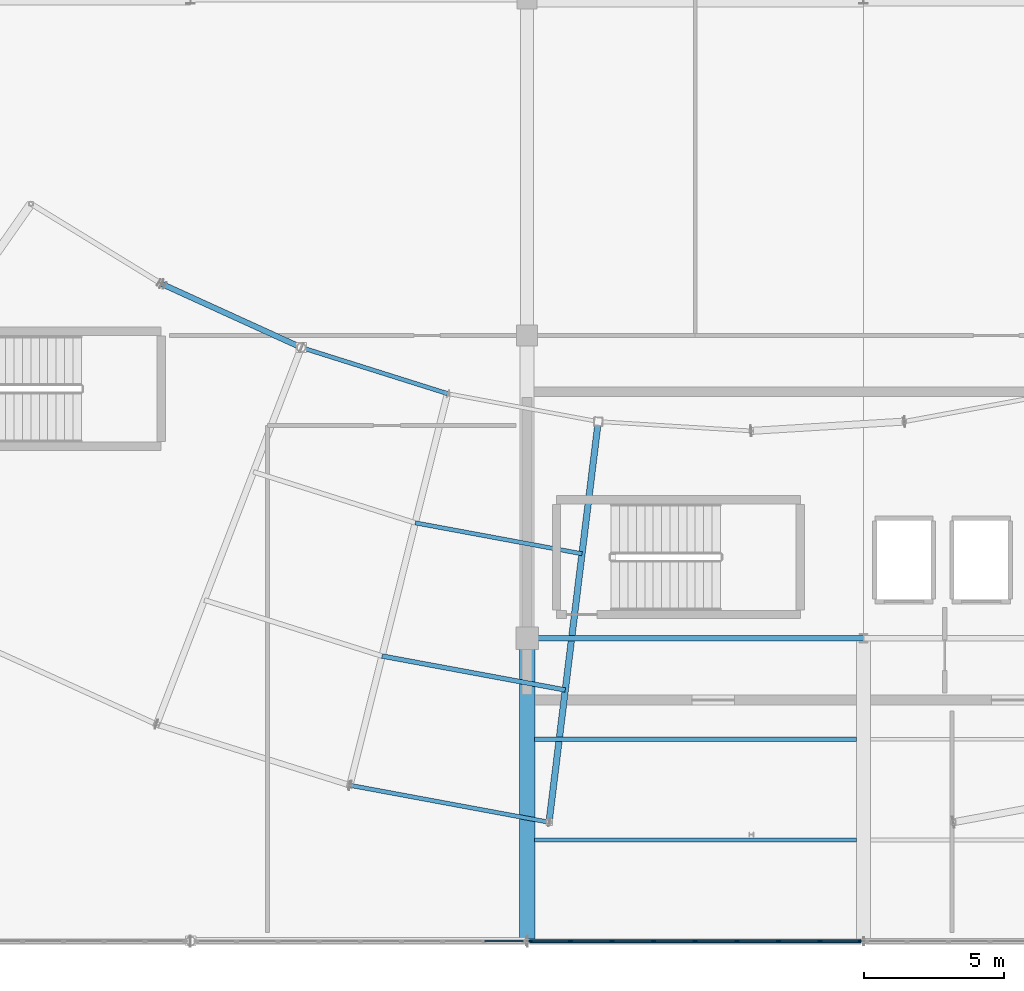
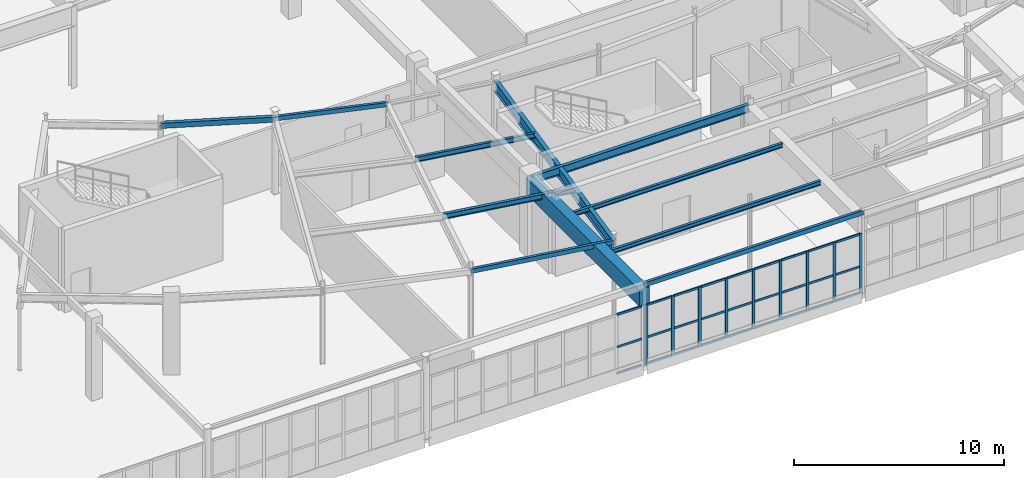
# One storey, part 60 of 186: 36 members, 11 beams, 2 elements without a shape of their own.
"""IFC4 building model written with IfcOpenShell, lengths in metres."""

from ifc_helpers import new_model, si_unit, direction, frame, origin, origin_2d, place, context, subcontext, project, spatial, rectangle, hollow_rectangle, i_section, extrude, material, layer, layer_set, material_profile, profile_set, type_object, element, aggregate, save


model = new_model("IFC4")

# Units and contexts
model_context = context("Model", 3, precision=1e-05, world=origin(), true_north=direction((0.0, 1.0)))
body_context = subcontext(model_context, "Body", "Model", "MODEL_VIEW")
ifc_project = project(units=[si_unit("LENGTHUNIT", "METRE"), si_unit("AREAUNIT", "SQUARE_METRE"), si_unit("VOLUMEUNIT", "CUBIC_METRE"), si_unit("PLANEANGLEUNIT", "RADIAN"), si_unit("MASSUNIT", "GRAM", prefix="KILO")], contexts=[model_context])

# Site, building, storey
site_placement = place(None, origin())
site = spatial("IfcSite", under=ifc_project, at=site_placement, CompositionType="ELEMENT")
building_placement = place(site_placement, origin())
building = spatial("IfcBuilding", under=site, at=building_placement, Name="Tarnwether General Hospital", CompositionType="ELEMENT")
storey_placement = place(building_placement, frame((0.0, 0.0, 9.60009765625)))
storey = spatial("IfcBuildingStorey", under=building, at=storey_placement, Name="L02", CompositionType="ELEMENT", Elevation=9.60009765625)

# Beams
ifc_material_1 = material(Name="Steel Grade 350 (350 MPa)", Category="steel")
ifc_material_profile_1 = material_profile(ifc_material_1, i_section(OverallWidth=0.22802734375, OverallDepth=0.60205078125, WebThickness=0.010498046875, FlangeThickness=0.014892578125, at=origin_2d()), Name="610UB101")
ifc_profile_set_1 = profile_set([ifc_material_profile_1], Name="Steel Grade 350 (350 MPa)")
beam_type_1 = type_object("IfcBeamType", Name="BM-G05", PredefinedType="BEAM", material=ifc_profile_set_1)
beam_1_placement = place(storey_placement, frame((84.784912109375, 4.240966796875, 4.12890625), z_axis=(0.121881045946, 0.99254471468, 0.0), x_axis=(-0.99254471468, 0.121881045946, 0.0)))
element("IfcBeam", 1, at=beam_1_placement, inside=storey, type_object=beam_type_1, Name="Curved Ward SE Radial Girder BMG-L02-8478_424-8654_1853-2070", PredefinedType="BEAM", context=body_context, shape_type="SweptSolid", body=[
    extrude(i_section(OverallWidth=0.22802734375, OverallDepth=0.60205078125, WebThickness=0.010498046875, FlangeThickness=0.014892578125, at=origin_2d()), origin(), (0.0, 0.0, 1.0), 14.400390625),
])
ifc_material_2 = material(Name="Steel Grade 350 (350 MPa)", Category="steel")
ifc_material_profile_2 = material_profile(ifc_material_2, i_section(OverallWidth=0.18994140625, OverallDepth=0.45703125, WebThickness=0.009033203125, FlangeThickness=0.014404296875, at=origin_2d()), Name="460UB74.6")
ifc_profile_set_2 = profile_set([ifc_material_profile_2], Name="Steel Grade 350 (350 MPa)")
beam_type_2 = type_object("IfcBeamType", Name="BM-G09", PredefinedType="BEAM", material=ifc_profile_set_2)
beam_2_placement = place(storey_placement, frame((84.0, 10.800048828125, 4.201416015625), z_axis=(1.0, 0.0, 0.0), x_axis=(0.0, 1.0, 0.0)))
element("IfcBeam", 2, at=beam_2_placement, inside=storey, type_object=beam_type_2, Name="Primary Girder BMG-L02-8400_1080-9600_1080-1507", PredefinedType="BEAM", context=body_context, shape_type="SweptSolid", body=[
    extrude(i_section(OverallWidth=0.18994140625, OverallDepth=0.45703125, WebThickness=0.009033203125, FlangeThickness=0.014404296875, at=origin_2d()), origin(), (0.0, 0.0, 1.0), 12.0),
])
ifc_material_3 = material(Name="Concrete 40 MPa", Category="concrete")
ifc_material_profile_3 = material_profile(ifc_material_3, rectangle(XDim=0.550048828125, YDim=0.949951171875, at=origin_2d()), Name="RC-BM-550x950")
ifc_profile_set_3 = profile_set([ifc_material_profile_3], Name="Concrete 40 MPa")
beam_type_3 = type_object("IfcBeamType", Name="BM-G11", PredefinedType="BEAM", material=ifc_profile_set_3)
beam_3_placement = place(storey_placement, frame((84.0, 0.0, 3.954833984375), z_axis=(0.0, 1.0, 0.0), x_axis=(-1.0, 0.0, 0.0)))
element("IfcBeam", 3, at=beam_3_placement, inside=storey, type_object=beam_type_3, Name="Primary Girder BMG-L02-8400_0-8400_1080-1506", PredefinedType="BEAM", context=body_context, shape_type="SweptSolid", body=[
    extrude(rectangle(XDim=0.550048828125, YDim=0.949951171875, at=origin_2d()), origin(), (0.0, 0.0, 1.0), 10.800048828125),
])
ifc_material_4 = material(Name="Steel Grade 350 (350 MPa)", Category="steel")
ifc_material_profile_4 = material_profile(ifc_material_4, i_section(OverallWidth=0.166015625, OverallDepth=0.306884765625, WebThickness=0.006591796875, FlangeThickness=0.01171875, at=origin_2d()), Name="310UB46.2")
ifc_profile_set_4 = profile_set([ifc_material_profile_4], Name="Steel Grade 350 (350 MPa)")
beam_type_4 = type_object("IfcBeamType", Name="BM-J05", PredefinedType="JOIST", material=ifc_profile_set_4)
beam_4_placement = place(storey_placement, frame((78.827880859375, 10.1689453125, 4.2763671875), z_axis=(0.983267388773, -0.18216817004, 0.0), x_axis=(0.18216817004, 0.983267388773, 0.0)))
element("IfcBeam", 4, at=beam_4_placement, inside=storey, type_object=beam_type_4, Name="Curved Ward SE Chord Joist BMG-L02-7883_1017-8536_896-2084", PredefinedType="JOIST", context=body_context, shape_type="SweptSolid", body=[
    extrude(i_section(OverallWidth=0.166015625, OverallDepth=0.306884765625, WebThickness=0.006591796875, FlangeThickness=0.01171875, at=origin_2d()), origin(), (0.0, 0.0, 1.0), 6.6474609375),
])
ifc_material_5 = material(Name="Steel Grade 350 (350 MPa)", Category="steel")
ifc_material_profile_5 = material_profile(ifc_material_5, i_section(OverallWidth=0.14892578125, OverallDepth=0.298095703125, WebThickness=0.005615234375, FlangeThickness=0.008056640625, at=origin_2d()), Name="310UB32.0")
ifc_profile_set_5 = profile_set([ifc_material_profile_5], Name="Steel Grade 350 (350 MPa)")
beam_type_5 = type_object("IfcBeamType", Name="BM-J08", PredefinedType="JOIST", material=ifc_profile_set_5)
beam_5_placement = place(storey_placement, frame((80.011962890625, 14.919921875, 4.281005859375), z_axis=(0.983241575901, -0.182307442029, 0.0), x_axis=(0.182307442029, 0.983241575901, 0.0)))
element("IfcBeam", 5, at=beam_5_placement, inside=storey, type_object=beam_type_5, Name="Curved Ward SE Chord Joist BMG-L02-8001_1492-8596_1382-2085", PredefinedType="JOIST", context=body_context, shape_type="SweptSolid", body=[
    extrude(i_section(OverallWidth=0.14892578125, OverallDepth=0.298095703125, WebThickness=0.005615234375, FlangeThickness=0.008056640625, at=origin_2d()), origin(), (0.0, 0.0, 1.0), 6.05029296875),
])
ifc_material_6 = material(Name="Steel Grade 350 (350 MPa)", Category="steel")
ifc_material_profile_6 = material_profile(ifc_material_6, i_section(OverallWidth=0.14599609375, OverallDepth=0.256103515625, WebThickness=0.00634765625, FlangeThickness=0.010986328125, at=origin_2d()), Name="250UB37.3")
ifc_profile_set_6 = profile_set([ifc_material_profile_6], Name="Steel Grade 350 (350 MPa)")
beam_type_6 = type_object("IfcBeamType", Name="BM-J09", PredefinedType="JOIST", material=ifc_profile_set_6)
beam_6_placement = place(storey_placement, frame((84.26904296875, 3.60009765625, 4.302001953125), z_axis=(1.0, 0.0, 0.0), x_axis=(0.0, 1.0, 0.0)))
element("IfcBeam", 6, at=beam_6_placement, inside=storey, type_object=beam_type_6, Name="Composite Floor Joist BMG-L02-8427_360-9576_360-1686", PredefinedType="JOIST", context=body_context, shape_type="SweptSolid", body=[
    extrude(i_section(OverallWidth=0.14599609375, OverallDepth=0.256103515625, WebThickness=0.00634765625, FlangeThickness=0.010986328125, at=origin_2d()), origin(), (0.0, 0.0, 1.0), 11.487060546875),
])
ifc_material_7 = material(Name="Steel Grade 350 (350 MPa)", Category="steel")
ifc_material_profile_7 = material_profile(ifc_material_7, i_section(OverallWidth=0.14599609375, OverallDepth=0.251953125, WebThickness=0.006103515625, FlangeThickness=0.008544921875, at=origin_2d()), Name="250UB31.4")
ifc_profile_set_7 = profile_set([ifc_material_profile_7], Name="Steel Grade 350 (350 MPa)")
beam_type_7 = type_object("IfcBeamType", Name="BM-J10", PredefinedType="JOIST", material=ifc_profile_set_7)
beam_7_placement = place(storey_placement, frame((84.26904296875, 7.199951171875, 4.303955078125), z_axis=(1.0, 0.0, 0.0), x_axis=(0.0, 1.0, 0.0)))
element("IfcBeam", 7, at=beam_7_placement, inside=storey, type_object=beam_type_7, Name="Composite Floor Joist BMG-L02-8427_720-9576_720-1687", PredefinedType="JOIST", context=body_context, shape_type="SweptSolid", body=[
    extrude(i_section(OverallWidth=0.14599609375, OverallDepth=0.251953125, WebThickness=0.006103515625, FlangeThickness=0.008544921875, at=origin_2d()), origin(), (0.0, 0.0, 1.0), 11.487060546875),
])
ifc_material_8 = material(Name="Steel Grade C350L0 (350 MPa)", Category="steel")
ifc_material_profile_8 = material_profile(ifc_material_8, hollow_rectangle(XDim=0.199951171875, YDim=0.300048828125, WallThickness=0.012451171875, at=origin_2d()), Name="RHS300x200x12.5")
ifc_profile_set_8 = profile_set([ifc_material_profile_8], Name="Steel Grade C350L0 (350 MPa)")
beam_type_8 = type_object("IfcBeamType", Name="BM-SP3", PredefinedType="SPANDREL", material=ifc_profile_set_8)
beam_8_placement = place(storey_placement, frame((70.968017578125, 23.444091796875, 4.27978515625), z_axis=(0.909968605358, -0.414677148228, 0.0), x_axis=(0.414677148228, 0.909968605358, 0.0)))
element("IfcBeam", 8, at=beam_8_placement, inside=storey, type_object=beam_type_8, Name="Curved Ward SE Inner Spandrel BMG-L02-7097_2344-7594_2118-2077", PredefinedType="SPANDREL", context=body_context, shape_type="SweptSolid", body=[
    extrude(hollow_rectangle(XDim=0.199951171875, YDim=0.300048828125, WallThickness=0.012451171875, at=origin_2d()), origin(), (0.0, 0.0, 1.0), 5.469482421875),
])
ifc_material_9 = material(Name="Steel Grade C350L0 (350 MPa)", Category="steel")
ifc_material_profile_9 = material_profile(ifc_material_9, hollow_rectangle(XDim=0.14990234375, YDim=0.25, WallThickness=0.010009765625, at=origin_2d()), Name="RHS250x150x10")
ifc_profile_set_9 = profile_set([ifc_material_profile_9], Name="Steel Grade C350L0 (350 MPa)")
beam_type_9 = type_object("IfcBeamType", Name="BM-SP4", PredefinedType="SPANDREL", material=ifc_profile_set_9)
beam_9_placement = place(storey_placement, frame((75.945068359375, 21.176025390625, 4.304931640625), z_axis=(0.953712084488, -0.300721232874, 0.0), x_axis=(0.300721232874, 0.953712084488, 0.0)))
element("IfcBeam", 9, at=beam_9_placement, inside=storey, type_object=beam_type_9, Name="Curved Ward SE Inner Spandrel BMG-L02-7594_2118-8116_1953-2079", PredefinedType="SPANDREL", context=body_context, shape_type="SweptSolid", body=[
    extrude(hollow_rectangle(XDim=0.14990234375, YDim=0.25, WallThickness=0.010009765625, at=origin_2d()), origin(), (0.0, 0.0, 1.0), 5.47021484375),
])
beam_10_placement = place(storey_placement, frame((77.677978515625, 5.55810546875, 4.304931640625), z_axis=(0.98325623662, -0.182228354399, 0.0), x_axis=(0.182228354399, 0.98325623662, 0.0)))
element("IfcBeam", 10, at=beam_10_placement, inside=storey, type_object=beam_type_9, Name="Curved Ward SE Outer Spandrel BMG-L02-7768_556-8478_424-2082", PredefinedType="SPANDREL", context=body_context, shape_type="SweptSolid", body=[
    extrude(hollow_rectangle(XDim=0.14990234375, YDim=0.25, WallThickness=0.010009765625, at=origin_2d()), origin(), (0.0, 0.0, 1.0), 7.22802734375),
])
ifc_material_10 = material(Name="Steel Grade C350L0 (350 MPa)", Category="steel")
ifc_material_profile_10 = material_profile(ifc_material_10, hollow_rectangle(XDim=0.14990234375, YDim=0.25, WallThickness=0.008056640625, at=origin_2d()), Name="RHS250x150x8")
ifc_profile_set_10 = profile_set([ifc_material_profile_10], Name="Steel Grade C350L0 (350 MPa)")
beam_type_10 = type_object("IfcBeamType", Name="BM-SP8", PredefinedType="SPANDREL", material=ifc_profile_set_10)
beam_11_placement = place(storey_placement, frame((84.0, 0.0, 4.6748046875), z_axis=(1.0, 0.0, 0.0), x_axis=(0.0, 1.0, 0.0)))
element("IfcBeam", 11, at=beam_11_placement, inside=storey, type_object=beam_type_10, Name="Primary Girder BMG-L02-8400_0-9600_0-1505", PredefinedType="SPANDREL", context=body_context, shape_type="SweptSolid", body=[
    extrude(hollow_rectangle(XDim=0.14990234375, YDim=0.25, WallThickness=0.008056640625, at=origin_2d()), origin(), (0.0, 0.0, 1.0), 12.0),
])

# Curtain wall, members
ifc_material_11 = material(Name="Anodised aluminium", Category="aluminium")
ifc_layer = layer(ifc_material_11, 0.159912109375)
ifc_layer_set = layer_set([ifc_layer], Name="Anodised aluminium")
curtain_wall_type = type_object("IfcCurtainWallType", Name="CW-13", PredefinedType="NOTDEFINED", material=ifc_layer_set)
curtain_wall_1_placement = place(storey_placement, origin())
curtain_wall_1 = element("IfcCurtainWall", 12, at=curtain_wall_1_placement, inside=storey, type_object=curtain_wall_type, Name="Curtain Wall CWG-L02-959_0-0412", PredefinedType="NOTDEFINED")
ifc_material_12 = material(Name="Anodised aluminium", Category="aluminium")
ifc_material_profile_11 = material_profile(ifc_material_12, rectangle(XDim=0.06005859375, YDim=0.159912109375, at=origin_2d()), Name="ALU-MUL-60x160")
ifc_profile_set_11 = profile_set([ifc_material_profile_11], Name="Anodised aluminium")
member_type_1 = type_object("IfcMemberType", Name="CW-ML1", PredefinedType="MULLION", material=ifc_profile_set_11)
member_1_placement = place(storey_placement, frame((95.89892578125, 0.0, 0.0), z_axis=(0.0, 0.0, 1.0), x_axis=(0.0, -1.0, 0.0)))
member_1 = element("IfcMember", 13, at=member_1_placement, type_object=member_type_1, Name="CW-13 mullion 1", PredefinedType="MULLION", context=body_context, shape_type="SweptSolid", body=[
    extrude(rectangle(XDim=0.06005859375, YDim=0.159912109375, at=origin_2d()), origin(), (0.0, 0.0, 1.0), 3.46484375),
])
member_2_placement = place(storey_placement, frame((94.44677734375, 0.0, 0.0), z_axis=(0.0, 0.0, 1.0), x_axis=(0.0, -1.0, 0.0)))
member_2 = element("IfcMember", 14, at=member_2_placement, type_object=member_type_1, Name="CW-13 mullion 2", PredefinedType="MULLION", context=body_context, shape_type="SweptSolid", body=[
    extrude(rectangle(XDim=0.06005859375, YDim=0.159912109375, at=origin_2d()), origin(), (0.0, 0.0, 1.0), 3.46484375),
])
member_3_placement = place(storey_placement, frame((92.964599609375, 0.0, 0.0), z_axis=(0.0, 0.0, 1.0), x_axis=(0.0, -1.0, 0.0)))
member_3 = element("IfcMember", 15, at=member_3_placement, type_object=member_type_1, Name="CW-13 mullion 3", PredefinedType="MULLION", context=body_context, shape_type="SweptSolid", body=[
    extrude(rectangle(XDim=0.06005859375, YDim=0.159912109375, at=origin_2d()), origin(), (0.0, 0.0, 1.0), 3.46484375),
])
member_4_placement = place(storey_placement, frame((91.482177734375, 0.0, 0.0), z_axis=(0.0, 0.0, 1.0), x_axis=(0.0, -1.0, 0.0)))
member_4 = element("IfcMember", 16, at=member_4_placement, type_object=member_type_1, Name="CW-13 mullion 4", PredefinedType="MULLION", context=body_context, shape_type="SweptSolid", body=[
    extrude(rectangle(XDim=0.06005859375, YDim=0.159912109375, at=origin_2d()), origin(), (0.0, 0.0, 1.0), 3.46484375),
])
member_5_placement = place(storey_placement, frame((90.0, 0.0, 0.0), z_axis=(0.0, 0.0, 1.0), x_axis=(0.0, -1.0, 0.0)))
member_5 = element("IfcMember", 17, at=member_5_placement, type_object=member_type_1, Name="CW-13 mullion 5", PredefinedType="MULLION", context=body_context, shape_type="SweptSolid", body=[
    extrude(rectangle(XDim=0.06005859375, YDim=0.159912109375, at=origin_2d()), origin(), (0.0, 0.0, 1.0), 3.46484375),
])
member_6_placement = place(storey_placement, frame((88.517822265625, 0.0, 0.0), z_axis=(0.0, 0.0, 1.0), x_axis=(0.0, -1.0, 0.0)))
member_6 = element("IfcMember", 18, at=member_6_placement, type_object=member_type_1, Name="CW-13 mullion 6", PredefinedType="MULLION", context=body_context, shape_type="SweptSolid", body=[
    extrude(rectangle(XDim=0.06005859375, YDim=0.159912109375, at=origin_2d()), origin(), (0.0, 0.0, 1.0), 3.46484375),
])
member_7_placement = place(storey_placement, frame((87.035400390625, 0.0, 0.0), z_axis=(0.0, 0.0, 1.0), x_axis=(0.0, -1.0, 0.0)))
member_7 = element("IfcMember", 19, at=member_7_placement, type_object=member_type_1, Name="CW-13 mullion 7", PredefinedType="MULLION", context=body_context, shape_type="SweptSolid", body=[
    extrude(rectangle(XDim=0.06005859375, YDim=0.159912109375, at=origin_2d()), origin(), (0.0, 0.0, 1.0), 3.46484375),
])
member_8_placement = place(storey_placement, frame((85.55322265625, 0.0, 0.0), z_axis=(0.0, 0.0, 1.0), x_axis=(0.0, -1.0, 0.0)))
member_8 = element("IfcMember", 20, at=member_8_placement, type_object=member_type_1, Name="CW-13 mullion 8", PredefinedType="MULLION", context=body_context, shape_type="SweptSolid", body=[
    extrude(rectangle(XDim=0.06005859375, YDim=0.159912109375, at=origin_2d()), origin(), (0.0, 0.0, 1.0), 3.46484375),
])
member_9_placement = place(storey_placement, frame((84.10107421875, 0.0, 0.0), z_axis=(0.0, 0.0, 1.0), x_axis=(0.0, -1.0, 0.0)))
member_9 = element("IfcMember", 21, at=member_9_placement, type_object=member_type_1, Name="CW-13 mullion 9", PredefinedType="MULLION", context=body_context, shape_type="SweptSolid", body=[
    extrude(rectangle(XDim=0.06005859375, YDim=0.159912109375, at=origin_2d()), origin(), (0.0, 0.0, 1.0), 3.46484375),
])
ifc_material_13 = material(Name="Anodised aluminium", Category="aluminium")
ifc_material_profile_12 = material_profile(ifc_material_13, rectangle(XDim=0.06005859375, YDim=0.1201171875, at=origin_2d()), Name="ALU-TRN-60x120")
ifc_profile_set_12 = profile_set([ifc_material_profile_12], Name="Anodised aluminium")
member_type_2 = type_object("IfcMemberType", Name="CW-TR1", PredefinedType="USERDEFINED", material=ifc_profile_set_12)
member_10_placement = place(storey_placement, frame((95.868896484375, 0.0, 0.02978515625), z_axis=(-1.0, 0.0, 0.0), x_axis=(0.0, -1.0, 0.0)))
member_10 = element("IfcMember", 22, at=member_10_placement, type_object=member_type_2, Name="CW-13 transom 1.1", ObjectType="TRANSOM", PredefinedType="USERDEFINED", context=body_context, shape_type="SweptSolid", body=[
    extrude(rectangle(XDim=0.06005859375, YDim=0.1201171875, at=origin_2d()), origin(), (0.0, 0.0, 1.0), 1.39208984375),
])
member_11_placement = place(storey_placement, frame((95.868896484375, 0.0, 1.55908203125), z_axis=(-1.0, 0.0, 0.0), x_axis=(0.0, -1.0, 0.0)))
member_11 = element("IfcMember", 23, at=member_11_placement, type_object=member_type_2, Name="CW-13 transom 1.2", ObjectType="TRANSOM", PredefinedType="USERDEFINED", context=body_context, shape_type="SweptSolid", body=[
    extrude(rectangle(XDim=0.06005859375, YDim=0.1201171875, at=origin_2d()), origin(), (0.0, 0.0, 1.0), 1.39208984375),
])
member_12_placement = place(storey_placement, frame((95.868896484375, 0.0, 3.434814453125), z_axis=(-1.0, 0.0, 0.0), x_axis=(0.0, -1.0, 0.0)))
member_12 = element("IfcMember", 24, at=member_12_placement, type_object=member_type_2, Name="CW-13 transom 1.3", ObjectType="TRANSOM", PredefinedType="USERDEFINED", context=body_context, shape_type="SweptSolid", body=[
    extrude(rectangle(XDim=0.06005859375, YDim=0.1201171875, at=origin_2d()), origin(), (0.0, 0.0, 1.0), 1.39208984375),
])
member_13_placement = place(storey_placement, frame((94.416748046875, 0.0, 0.02978515625), z_axis=(-1.0, 0.0, 0.0), x_axis=(0.0, -1.0, 0.0)))
member_13 = element("IfcMember", 25, at=member_13_placement, type_object=member_type_2, Name="CW-13 transom 2.1", ObjectType="TRANSOM", PredefinedType="USERDEFINED", context=body_context, shape_type="SweptSolid", body=[
    extrude(rectangle(XDim=0.06005859375, YDim=0.1201171875, at=origin_2d()), origin(), (0.0, 0.0, 1.0), 1.42236328125),
])
member_14_placement = place(storey_placement, frame((94.416748046875, 0.0, 1.55908203125), z_axis=(-1.0, 0.0, 0.0), x_axis=(0.0, -1.0, 0.0)))
member_14 = element("IfcMember", 26, at=member_14_placement, type_object=member_type_2, Name="CW-13 transom 2.2", ObjectType="TRANSOM", PredefinedType="USERDEFINED", context=body_context, shape_type="SweptSolid", body=[
    extrude(rectangle(XDim=0.06005859375, YDim=0.1201171875, at=origin_2d()), origin(), (0.0, 0.0, 1.0), 1.42236328125),
])
member_15_placement = place(storey_placement, frame((94.416748046875, 0.0, 3.434814453125), z_axis=(-1.0, 0.0, 0.0), x_axis=(0.0, -1.0, 0.0)))
member_15 = element("IfcMember", 27, at=member_15_placement, type_object=member_type_2, Name="CW-13 transom 2.3", ObjectType="TRANSOM", PredefinedType="USERDEFINED", context=body_context, shape_type="SweptSolid", body=[
    extrude(rectangle(XDim=0.06005859375, YDim=0.1201171875, at=origin_2d()), origin(), (0.0, 0.0, 1.0), 1.42236328125),
])
member_16_placement = place(storey_placement, frame((92.9345703125, 0.0, 0.02978515625), z_axis=(-1.0, 0.0, 0.0), x_axis=(0.0, -1.0, 0.0)))
member_16 = element("IfcMember", 28, at=member_16_placement, type_object=member_type_2, Name="CW-13 transom 3.1", ObjectType="TRANSOM", PredefinedType="USERDEFINED", context=body_context, shape_type="SweptSolid", body=[
    extrude(rectangle(XDim=0.06005859375, YDim=0.1201171875, at=origin_2d()), origin(), (0.0, 0.0, 1.0), 1.42236328125),
])
member_17_placement = place(storey_placement, frame((92.9345703125, 0.0, 1.55908203125), z_axis=(-1.0, 0.0, 0.0), x_axis=(0.0, -1.0, 0.0)))
member_17 = element("IfcMember", 29, at=member_17_placement, type_object=member_type_2, Name="CW-13 transom 3.2", ObjectType="TRANSOM", PredefinedType="USERDEFINED", context=body_context, shape_type="SweptSolid", body=[
    extrude(rectangle(XDim=0.06005859375, YDim=0.1201171875, at=origin_2d()), origin(), (0.0, 0.0, 1.0), 1.42236328125),
])
member_18_placement = place(storey_placement, frame((92.9345703125, 0.0, 3.434814453125), z_axis=(-1.0, 0.0, 0.0), x_axis=(0.0, -1.0, 0.0)))
member_18 = element("IfcMember", 30, at=member_18_placement, type_object=member_type_2, Name="CW-13 transom 3.3", ObjectType="TRANSOM", PredefinedType="USERDEFINED", context=body_context, shape_type="SweptSolid", body=[
    extrude(rectangle(XDim=0.06005859375, YDim=0.1201171875, at=origin_2d()), origin(), (0.0, 0.0, 1.0), 1.42236328125),
])
member_19_placement = place(storey_placement, frame((91.4521484375, 0.0, 0.02978515625), z_axis=(-1.0, 0.0, 0.0), x_axis=(0.0, -1.0, 0.0)))
member_19 = element("IfcMember", 31, at=member_19_placement, type_object=member_type_2, Name="CW-13 transom 4.1", ObjectType="TRANSOM", PredefinedType="USERDEFINED", context=body_context, shape_type="SweptSolid", body=[
    extrude(rectangle(XDim=0.06005859375, YDim=0.1201171875, at=origin_2d()), origin(), (0.0, 0.0, 1.0), 1.422119140625),
])
member_20_placement = place(storey_placement, frame((91.4521484375, 0.0, 1.55908203125), z_axis=(-1.0, 0.0, 0.0), x_axis=(0.0, -1.0, 0.0)))
member_20 = element("IfcMember", 32, at=member_20_placement, type_object=member_type_2, Name="CW-13 transom 4.2", ObjectType="TRANSOM", PredefinedType="USERDEFINED", context=body_context, shape_type="SweptSolid", body=[
    extrude(rectangle(XDim=0.06005859375, YDim=0.1201171875, at=origin_2d()), origin(), (0.0, 0.0, 1.0), 1.422119140625),
])
member_21_placement = place(storey_placement, frame((91.4521484375, 0.0, 3.434814453125), z_axis=(-1.0, 0.0, 0.0), x_axis=(0.0, -1.0, 0.0)))
member_21 = element("IfcMember", 33, at=member_21_placement, type_object=member_type_2, Name="CW-13 transom 4.3", ObjectType="TRANSOM", PredefinedType="USERDEFINED", context=body_context, shape_type="SweptSolid", body=[
    extrude(rectangle(XDim=0.06005859375, YDim=0.1201171875, at=origin_2d()), origin(), (0.0, 0.0, 1.0), 1.422119140625),
])
member_22_placement = place(storey_placement, frame((89.969970703125, 0.0, 0.02978515625), z_axis=(-1.0, 0.0, 0.0), x_axis=(0.0, -1.0, 0.0)))
member_22 = element("IfcMember", 34, at=member_22_placement, type_object=member_type_2, Name="CW-13 transom 5.1", ObjectType="TRANSOM", PredefinedType="USERDEFINED", context=body_context, shape_type="SweptSolid", body=[
    extrude(rectangle(XDim=0.06005859375, YDim=0.1201171875, at=origin_2d()), origin(), (0.0, 0.0, 1.0), 1.422119140625),
])
member_23_placement = place(storey_placement, frame((89.969970703125, 0.0, 1.55908203125), z_axis=(-1.0, 0.0, 0.0), x_axis=(0.0, -1.0, 0.0)))
member_23 = element("IfcMember", 35, at=member_23_placement, type_object=member_type_2, Name="CW-13 transom 5.2", ObjectType="TRANSOM", PredefinedType="USERDEFINED", context=body_context, shape_type="SweptSolid", body=[
    extrude(rectangle(XDim=0.06005859375, YDim=0.1201171875, at=origin_2d()), origin(), (0.0, 0.0, 1.0), 1.422119140625),
])
member_24_placement = place(storey_placement, frame((89.969970703125, 0.0, 3.434814453125), z_axis=(-1.0, 0.0, 0.0), x_axis=(0.0, -1.0, 0.0)))
member_24 = element("IfcMember", 36, at=member_24_placement, type_object=member_type_2, Name="CW-13 transom 5.3", ObjectType="TRANSOM", PredefinedType="USERDEFINED", context=body_context, shape_type="SweptSolid", body=[
    extrude(rectangle(XDim=0.06005859375, YDim=0.1201171875, at=origin_2d()), origin(), (0.0, 0.0, 1.0), 1.422119140625),
])
member_25_placement = place(storey_placement, frame((88.48779296875, 0.0, 0.02978515625), z_axis=(-1.0, 0.0, 0.0), x_axis=(0.0, -1.0, 0.0)))
member_25 = element("IfcMember", 37, at=member_25_placement, type_object=member_type_2, Name="CW-13 transom 6.1", ObjectType="TRANSOM", PredefinedType="USERDEFINED", context=body_context, shape_type="SweptSolid", body=[
    extrude(rectangle(XDim=0.06005859375, YDim=0.1201171875, at=origin_2d()), origin(), (0.0, 0.0, 1.0), 1.42236328125),
])
member_26_placement = place(storey_placement, frame((88.48779296875, 0.0, 1.55908203125), z_axis=(-1.0, 0.0, 0.0), x_axis=(0.0, -1.0, 0.0)))
member_26 = element("IfcMember", 38, at=member_26_placement, type_object=member_type_2, Name="CW-13 transom 6.2", ObjectType="TRANSOM", PredefinedType="USERDEFINED", context=body_context, shape_type="SweptSolid", body=[
    extrude(rectangle(XDim=0.06005859375, YDim=0.1201171875, at=origin_2d()), origin(), (0.0, 0.0, 1.0), 1.42236328125),
])
member_27_placement = place(storey_placement, frame((88.48779296875, 0.0, 3.434814453125), z_axis=(-1.0, 0.0, 0.0), x_axis=(0.0, -1.0, 0.0)))
member_27 = element("IfcMember", 39, at=member_27_placement, type_object=member_type_2, Name="CW-13 transom 6.3", ObjectType="TRANSOM", PredefinedType="USERDEFINED", context=body_context, shape_type="SweptSolid", body=[
    extrude(rectangle(XDim=0.06005859375, YDim=0.1201171875, at=origin_2d()), origin(), (0.0, 0.0, 1.0), 1.42236328125),
])
member_28_placement = place(storey_placement, frame((87.005615234375, 0.0, 0.02978515625), z_axis=(-1.0, 0.0, 0.0), x_axis=(0.0, -1.0, 0.0)))
member_28 = element("IfcMember", 40, at=member_28_placement, type_object=member_type_2, Name="CW-13 transom 7.1", ObjectType="TRANSOM", PredefinedType="USERDEFINED", context=body_context, shape_type="SweptSolid", body=[
    extrude(rectangle(XDim=0.06005859375, YDim=0.1201171875, at=origin_2d()), origin(), (0.0, 0.0, 1.0), 1.42236328125),
])
member_29_placement = place(storey_placement, frame((87.005615234375, 0.0, 1.55908203125), z_axis=(-1.0, 0.0, 0.0), x_axis=(0.0, -1.0, 0.0)))
member_29 = element("IfcMember", 41, at=member_29_placement, type_object=member_type_2, Name="CW-13 transom 7.2", ObjectType="TRANSOM", PredefinedType="USERDEFINED", context=body_context, shape_type="SweptSolid", body=[
    extrude(rectangle(XDim=0.06005859375, YDim=0.1201171875, at=origin_2d()), origin(), (0.0, 0.0, 1.0), 1.42236328125),
])
member_30_placement = place(storey_placement, frame((87.005615234375, 0.0, 3.434814453125), z_axis=(-1.0, 0.0, 0.0), x_axis=(0.0, -1.0, 0.0)))
member_30 = element("IfcMember", 42, at=member_30_placement, type_object=member_type_2, Name="CW-13 transom 7.3", ObjectType="TRANSOM", PredefinedType="USERDEFINED", context=body_context, shape_type="SweptSolid", body=[
    extrude(rectangle(XDim=0.06005859375, YDim=0.1201171875, at=origin_2d()), origin(), (0.0, 0.0, 1.0), 1.42236328125),
])
member_31_placement = place(storey_placement, frame((85.523193359375, 0.0, 0.02978515625), z_axis=(-1.0, 0.0, 0.0), x_axis=(0.0, -1.0, 0.0)))
member_31 = element("IfcMember", 43, at=member_31_placement, type_object=member_type_2, Name="CW-13 transom 8.1", ObjectType="TRANSOM", PredefinedType="USERDEFINED", context=body_context, shape_type="SweptSolid", body=[
    extrude(rectangle(XDim=0.06005859375, YDim=0.1201171875, at=origin_2d()), origin(), (0.0, 0.0, 1.0), 1.39208984375),
])
member_32_placement = place(storey_placement, frame((85.523193359375, 0.0, 1.55908203125), z_axis=(-1.0, 0.0, 0.0), x_axis=(0.0, -1.0, 0.0)))
member_32 = element("IfcMember", 44, at=member_32_placement, type_object=member_type_2, Name="CW-13 transom 8.2", ObjectType="TRANSOM", PredefinedType="USERDEFINED", context=body_context, shape_type="SweptSolid", body=[
    extrude(rectangle(XDim=0.06005859375, YDim=0.1201171875, at=origin_2d()), origin(), (0.0, 0.0, 1.0), 1.39208984375),
])
member_33_placement = place(storey_placement, frame((85.523193359375, 0.0, 3.434814453125), z_axis=(-1.0, 0.0, 0.0), x_axis=(0.0, -1.0, 0.0)))
member_33 = element("IfcMember", 45, at=member_33_placement, type_object=member_type_2, Name="CW-13 transom 8.3", ObjectType="TRANSOM", PredefinedType="USERDEFINED", context=body_context, shape_type="SweptSolid", body=[
    extrude(rectangle(XDim=0.06005859375, YDim=0.1201171875, at=origin_2d()), origin(), (0.0, 0.0, 1.0), 1.39208984375),
])
aggregate(curtain_wall_1, [member_1, member_2, member_3, member_4, member_5, member_6, member_7, member_8, member_9, member_10, member_11, member_12, member_13, member_14, member_15, member_16, member_17, member_18, member_19, member_20, member_21, member_22, member_23, member_24, member_25, member_26, member_27, member_28, member_29, member_30, member_31, member_32, member_33])

curtain_wall_2_placement = place(storey_placement, origin())
curtain_wall_2 = element("IfcCurtainWall", 46, at=curtain_wall_2_placement, inside=storey, type_object=curtain_wall_type, Name="Curtain Wall CWG-L02-839_0-0413", PredefinedType="NOTDEFINED")
member_34_placement = place(storey_placement, frame((83.868896484375, 0.0, 0.02978515625), z_axis=(-1.0, 0.0, 0.0), x_axis=(0.0, -1.0, 0.0)))
member_34 = element("IfcMember", 47, at=member_34_placement, type_object=member_type_2, Name="CW-13 transom 1.1", ObjectType="TRANSOM", PredefinedType="USERDEFINED", context=body_context, shape_type="SweptSolid", body=[
    extrude(rectangle(XDim=0.06005859375, YDim=0.1201171875, at=origin_2d()), origin(), (0.0, 0.0, 1.0), 1.3798828125),
])
member_35_placement = place(storey_placement, frame((83.868896484375, 0.0, 1.55908203125), z_axis=(-1.0, 0.0, 0.0), x_axis=(0.0, -1.0, 0.0)))
member_35 = element("IfcMember", 48, at=member_35_placement, type_object=member_type_2, Name="CW-13 transom 1.2", ObjectType="TRANSOM", PredefinedType="USERDEFINED", context=body_context, shape_type="SweptSolid", body=[
    extrude(rectangle(XDim=0.06005859375, YDim=0.1201171875, at=origin_2d()), origin(), (0.0, 0.0, 1.0), 1.3798828125),
])
member_36_placement = place(storey_placement, frame((83.868896484375, 0.0, 3.434814453125), z_axis=(-1.0, 0.0, 0.0), x_axis=(0.0, -1.0, 0.0)))
member_36 = element("IfcMember", 49, at=member_36_placement, type_object=member_type_2, Name="CW-13 transom 1.3", ObjectType="TRANSOM", PredefinedType="USERDEFINED", context=body_context, shape_type="SweptSolid", body=[
    extrude(rectangle(XDim=0.06005859375, YDim=0.1201171875, at=origin_2d()), origin(), (0.0, 0.0, 1.0), 1.3798828125),
])
aggregate(curtain_wall_2, [member_34, member_35, member_36])

save(model, "model.ifc")
